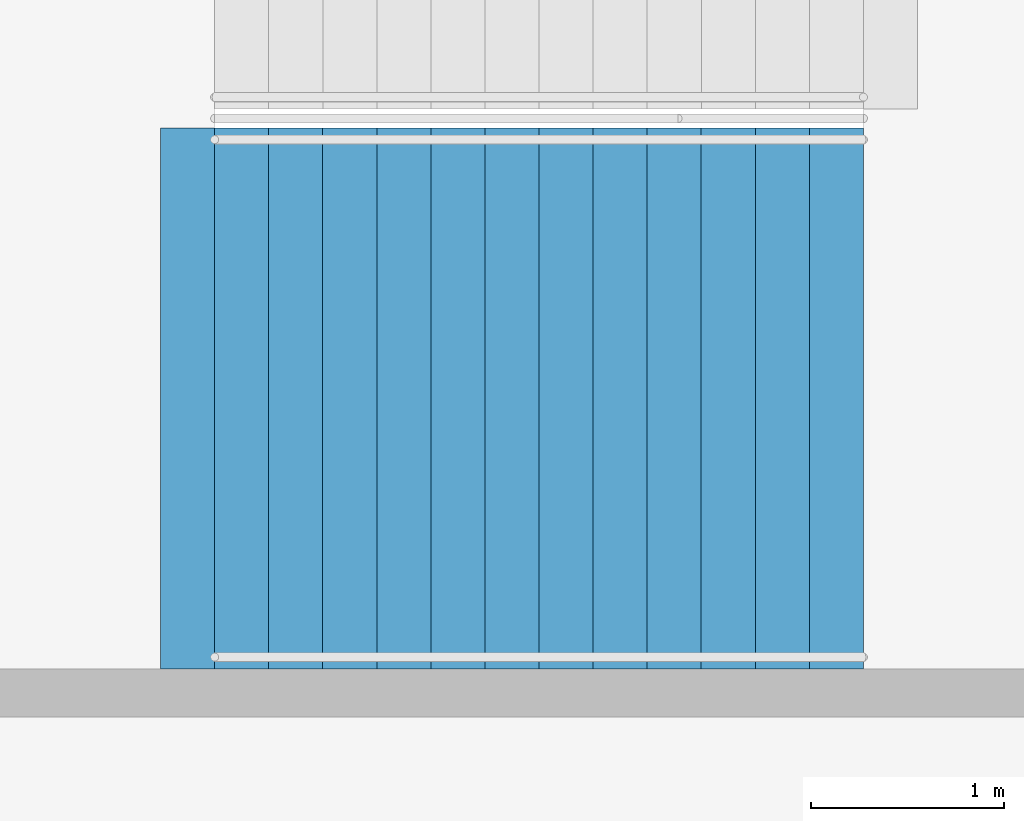
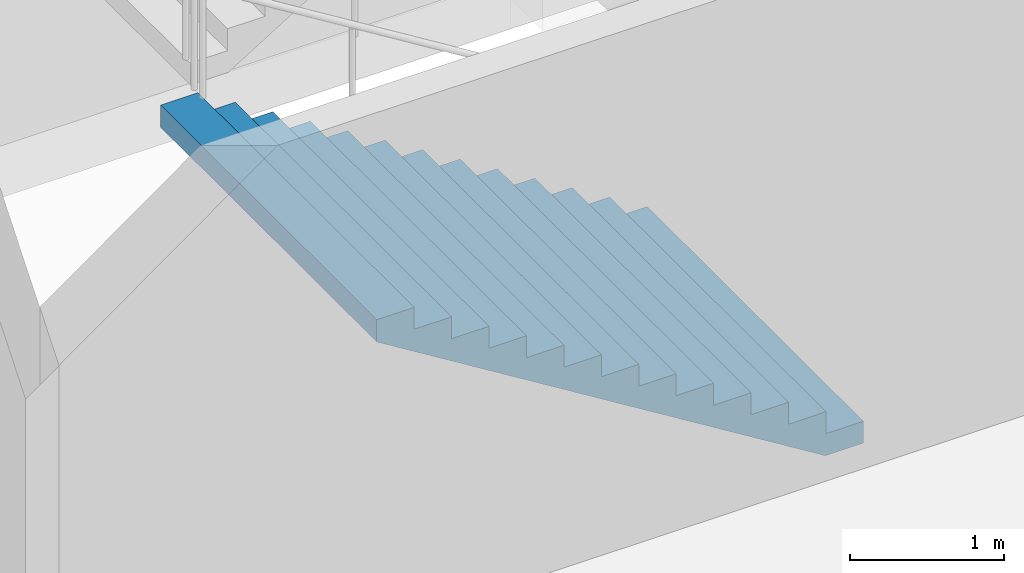
# One storey, part 154 of 199: 1 stair flight, 1 element without a shape of its own.
"""IFC4 building model written with IfcOpenShell, lengths in metres."""

from ifc_helpers import new_model, si_unit, direction, frame, origin, place, context, subcontext, project, spatial, faceted_brep, material, type_object, element, aggregate, save


model = new_model("IFC4")

# Units and contexts
model_context = context("Model", 3, precision=1e-05, world=origin(), true_north=direction((0.0, 1.0)))
body_context = subcontext(model_context, "Body", "Model", "MODEL_VIEW")
ifc_project = project(units=[si_unit("LENGTHUNIT", "METRE"), si_unit("AREAUNIT", "SQUARE_METRE"), si_unit("VOLUMEUNIT", "CUBIC_METRE"), si_unit("PLANEANGLEUNIT", "RADIAN"), si_unit("MASSUNIT", "GRAM", prefix="KILO")], contexts=[model_context])

# Site, building, storey
site_placement = place(None, origin())
site = spatial("IfcSite", under=ifc_project, at=site_placement, CompositionType="ELEMENT")
building_placement = place(site_placement, origin())
building = spatial("IfcBuilding", under=site, at=building_placement, Name="Ogive Plaza Stadium", CompositionType="ELEMENT")
storey_placement = place(building_placement, frame((0.0, 0.0, 4.5)))
storey = spatial("IfcBuildingStorey", under=building, at=storey_placement, Name="L01", CompositionType="ELEMENT", Elevation=4.5)

# Stair, stair flight
ifc_material_1 = material(Name="Concrete C40/50", Category="concrete")
stair_type = type_object("IfcStairType", Name="Exit stair", PredefinedType="STRAIGHT_RUN_STAIR", material=ifc_material_1)
stair_placement = place(storey_placement, origin())
stair = element("IfcStair", 1, at=stair_placement, inside=storey, type_object=stair_type, Name="Exit stair ST28B L01 to L02", PredefinedType="STRAIGHT_RUN_STAIR")
ifc_material_2 = material(Name="Concrete C40/50", Category="concrete")
stair_flight_type = type_object("IfcStairFlightType", Name="Exit stair flight", PredefinedType="STRAIGHT", material=ifc_material_2)
stair_flight_placement = place(storey_placement, frame((-76.35009765625, 48.074951171875, 0.0), z_axis=(0.0, 0.0, 1.0), x_axis=(-1.0, 0.0, 0.0)))
stair_flight = element("IfcStairFlight", 2, at=stair_flight_placement, type_object=stair_flight_type, Name="ST28B flight 1", NumberOfRisers=13, NumberOfTreads=12, PredefinedType="STRAIGHT", RiserHeight=0.173076923, TreadLength=0.28, context=body_context, shape_type="Brep", body=[
    faceted_brep([(0.28515625, -1.39990234375, 0.0), (3.639892578125, -1.39990234375, 2.07373046875), (3.639892578125, -1.39990234375, 2.25), (3.360107421875, -1.39990234375, 2.25), (3.360107421875, -1.39990234375, 2.076904296875), (3.080078125, -1.39990234375, 2.076904296875), (3.080078125, -1.39990234375, 1.90380859375), (2.800048828125, -1.39990234375, 1.90380859375), (2.800048828125, -1.39990234375, 1.730712890625), (2.52001953125, -1.39990234375, 1.730712890625), (2.52001953125, -1.39990234375, 1.5576171875), (2.239990234375, -1.39990234375, 1.5576171875), (2.239990234375, -1.39990234375, 1.384521484375), (1.9599609375, -1.39990234375, 1.384521484375), (1.9599609375, -1.39990234375, 1.21142578125), (1.679931640625, -1.39990234375, 1.21142578125), (1.679931640625, -1.39990234375, 1.03857421875), (1.39990234375, -1.39990234375, 1.03857421875), (1.39990234375, -1.39990234375, 0.865478515625), (1.1201171875, -1.39990234375, 0.865478515625), (1.1201171875, -1.39990234375, 0.6923828125), (0.840087890625, -1.39990234375, 0.6923828125), (0.840087890625, -1.39990234375, 0.519287109375), (0.56005859375, -1.39990234375, 0.519287109375), (0.56005859375, -1.39990234375, 0.34619140625), (0.280029296875, -1.39990234375, 0.34619140625), (0.280029296875, -1.39990234375, 0.173095703125), (0.0, -1.39990234375, 0.173095703125), (0.0, -1.39990234375, 0.0), (0.0, 1.39990234375, 0.0), (0.0, 1.39990234375, 0.173095703125), (0.280029296875, 1.39990234375, 0.173095703125), (0.280029296875, 1.39990234375, 0.34619140625), (0.56005859375, 1.39990234375, 0.34619140625), (0.56005859375, 1.39990234375, 0.519287109375), (0.840087890625, 1.39990234375, 0.519287109375), (0.840087890625, 1.39990234375, 0.6923828125), (1.1201171875, 1.39990234375, 0.6923828125), (1.1201171875, 1.39990234375, 0.865478515625), (1.39990234375, 1.39990234375, 0.865478515625), (1.39990234375, 1.39990234375, 1.03857421875), (1.679931640625, 1.39990234375, 1.03857421875), (1.679931640625, 1.39990234375, 1.21142578125), (1.9599609375, 1.39990234375, 1.21142578125), (1.9599609375, 1.39990234375, 1.384521484375), (2.239990234375, 1.39990234375, 1.384521484375), (2.239990234375, 1.39990234375, 1.5576171875), (2.52001953125, 1.39990234375, 1.5576171875), (2.52001953125, 1.39990234375, 1.730712890625), (2.800048828125, 1.39990234375, 1.730712890625), (2.800048828125, 1.39990234375, 1.90380859375), (3.080078125, 1.39990234375, 1.90380859375), (3.080078125, 1.39990234375, 2.076904296875), (3.360107421875, 1.39990234375, 2.076904296875), (3.360107421875, 1.39990234375, 2.25), (3.639892578125, 1.39990234375, 2.25), (3.639892578125, 1.39990234375, 2.07373046875), (0.28515625, 1.39990234375, 0.0), (0.28515625, -1.0888671875, 0.0), (3.639892578125, -1.0888671875, 2.07373046875), (0.28515625, -0.77783203125, 0.0), (3.639892578125, -0.77783203125, 2.07373046875), (0.28515625, -0.466796875, 0.0), (3.639892578125, -0.466796875, 2.07373046875), (0.28515625, -0.155517578125, 0.0), (3.639892578125, -0.155517578125, 2.07373046875), (0.28515625, 0.155517578125, 0.0), (3.639892578125, 0.155517578125, 2.07373046875), (0.28515625, 0.466796875, 0.0), (3.639892578125, 0.466796875, 2.07373046875), (0.28515625, 0.77783203125, 0.0), (3.639892578125, 0.77783203125, 2.07373046875), (0.28515625, 1.0888671875, 0.0), (3.639892578125, 1.0888671875, 2.07373046875), (3.639892578125, -1.0888671875, 2.25), (3.639892578125, -0.77783203125, 2.25), (3.639892578125, -0.466796875, 2.25), (3.639892578125, -0.155517578125, 2.25), (3.639892578125, 0.155517578125, 2.25), (3.639892578125, 0.466796875, 2.25), (3.639892578125, 0.77783203125, 2.25), (3.639892578125, 1.0888671875, 2.25), (3.360107421875, -1.0888671875, 2.25), (3.360107421875, -0.77783203125, 2.25), (3.360107421875, -0.466796875, 2.25), (3.360107421875, -0.155517578125, 2.25), (3.360107421875, 0.155517578125, 2.25), (3.360107421875, 0.466796875, 2.25), (3.360107421875, 0.77783203125, 2.25), (3.360107421875, 1.0888671875, 2.25), (3.360107421875, -1.0888671875, 2.076904296875), (3.360107421875, -0.77783203125, 2.076904296875), (3.360107421875, -0.466796875, 2.076904296875), (3.360107421875, -0.155517578125, 2.076904296875), (3.360107421875, 0.155517578125, 2.076904296875), (3.360107421875, 0.466796875, 2.076904296875), (3.360107421875, 0.77783203125, 2.076904296875), (3.360107421875, 1.0888671875, 2.076904296875), (3.080078125, -1.0888671875, 2.076904296875), (3.080078125, -0.77783203125, 2.076904296875), (3.080078125, -0.466796875, 2.076904296875), (3.080078125, -0.155517578125, 2.076904296875), (3.080078125, 0.155517578125, 2.076904296875), (3.080078125, 0.466796875, 2.076904296875), (3.080078125, 0.77783203125, 2.076904296875), (3.080078125, 1.0888671875, 2.076904296875), (3.080078125, -1.0888671875, 1.90380859375), (3.080078125, -0.77783203125, 1.90380859375), (3.080078125, -0.466796875, 1.90380859375), (3.080078125, -0.155517578125, 1.90380859375), (3.080078125, 0.155517578125, 1.90380859375), (3.080078125, 0.466796875, 1.90380859375), (3.080078125, 0.77783203125, 1.90380859375), (3.080078125, 1.0888671875, 1.90380859375), (2.800048828125, -1.0888671875, 1.90380859375), (2.800048828125, -0.77783203125, 1.90380859375), (2.800048828125, -0.466796875, 1.90380859375), (2.800048828125, -0.155517578125, 1.90380859375), (2.800048828125, 0.155517578125, 1.90380859375), (2.800048828125, 0.466796875, 1.90380859375), (2.800048828125, 0.77783203125, 1.90380859375), (2.800048828125, 1.0888671875, 1.90380859375), (2.800048828125, -1.0888671875, 1.730712890625), (2.800048828125, -0.77783203125, 1.730712890625), (2.800048828125, -0.466796875, 1.730712890625), (2.800048828125, -0.155517578125, 1.730712890625), (2.800048828125, 0.155517578125, 1.730712890625), (2.800048828125, 0.466796875, 1.730712890625), (2.800048828125, 0.77783203125, 1.730712890625), (2.800048828125, 1.0888671875, 1.730712890625), (2.52001953125, -1.0888671875, 1.730712890625), (2.52001953125, -0.77783203125, 1.730712890625), (2.52001953125, -0.466796875, 1.730712890625), (2.52001953125, -0.155517578125, 1.730712890625), (2.52001953125, 0.155517578125, 1.730712890625), (2.52001953125, 0.466796875, 1.730712890625), (2.52001953125, 0.77783203125, 1.730712890625), (2.52001953125, 1.0888671875, 1.730712890625), (2.52001953125, -1.0888671875, 1.5576171875), (2.52001953125, -0.77783203125, 1.5576171875), (2.52001953125, -0.466796875, 1.5576171875), (2.52001953125, -0.155517578125, 1.5576171875), (2.52001953125, 0.155517578125, 1.5576171875), (2.52001953125, 0.466796875, 1.5576171875), (2.52001953125, 0.77783203125, 1.5576171875), (2.52001953125, 1.0888671875, 1.5576171875), (2.239990234375, -1.0888671875, 1.5576171875), (2.239990234375, -0.77783203125, 1.5576171875), (2.239990234375, -0.466796875, 1.5576171875), (2.239990234375, -0.155517578125, 1.5576171875), (2.239990234375, 0.155517578125, 1.5576171875), (2.239990234375, 0.466796875, 1.5576171875), (2.239990234375, 0.77783203125, 1.5576171875), (2.239990234375, 1.0888671875, 1.5576171875), (2.239990234375, -1.0888671875, 1.384521484375), (2.239990234375, -0.77783203125, 1.384521484375), (2.239990234375, -0.466796875, 1.384521484375), (2.239990234375, -0.155517578125, 1.384521484375), (2.239990234375, 0.155517578125, 1.384521484375), (2.239990234375, 0.466796875, 1.384521484375), (2.239990234375, 0.77783203125, 1.384521484375), (2.239990234375, 1.0888671875, 1.384521484375), (1.9599609375, -1.0888671875, 1.384521484375), (1.9599609375, -0.77783203125, 1.384521484375), (1.9599609375, -0.466796875, 1.384521484375), (1.9599609375, -0.155517578125, 1.384521484375), (1.9599609375, 0.155517578125, 1.384521484375), (1.9599609375, 0.466796875, 1.384521484375), (1.9599609375, 0.77783203125, 1.384521484375), (1.9599609375, 1.0888671875, 1.384521484375), (1.9599609375, -1.0888671875, 1.21142578125), (1.9599609375, -0.77783203125, 1.21142578125), (1.9599609375, -0.466796875, 1.21142578125), (1.9599609375, -0.155517578125, 1.21142578125), (1.9599609375, 0.155517578125, 1.21142578125), (1.9599609375, 0.466796875, 1.21142578125), (1.9599609375, 0.77783203125, 1.21142578125), (1.9599609375, 1.0888671875, 1.21142578125), (1.679931640625, -1.0888671875, 1.21142578125), (1.679931640625, -0.77783203125, 1.21142578125), (1.679931640625, -0.466796875, 1.21142578125), (1.679931640625, -0.155517578125, 1.21142578125), (1.679931640625, 0.155517578125, 1.21142578125), (1.679931640625, 0.466796875, 1.21142578125), (1.679931640625, 0.77783203125, 1.21142578125), (1.679931640625, 1.0888671875, 1.21142578125), (1.679931640625, -1.0888671875, 1.03857421875), (1.679931640625, -0.77783203125, 1.03857421875), (1.679931640625, -0.466796875, 1.03857421875), (1.679931640625, -0.155517578125, 1.03857421875), (1.679931640625, 0.155517578125, 1.03857421875), (1.679931640625, 0.466796875, 1.03857421875), (1.679931640625, 0.77783203125, 1.03857421875), (1.679931640625, 1.0888671875, 1.03857421875), (1.39990234375, -1.0888671875, 1.03857421875), (1.39990234375, -0.77783203125, 1.03857421875), (1.39990234375, -0.466796875, 1.03857421875), (1.39990234375, -0.155517578125, 1.03857421875), (1.39990234375, 0.155517578125, 1.03857421875), (1.39990234375, 0.466796875, 1.03857421875), (1.39990234375, 0.77783203125, 1.03857421875), (1.39990234375, 1.0888671875, 1.03857421875), (1.39990234375, -1.0888671875, 0.865478515625), (1.39990234375, -0.77783203125, 0.865478515625), (1.39990234375, -0.466796875, 0.865478515625), (1.39990234375, -0.155517578125, 0.865478515625), (1.39990234375, 0.155517578125, 0.865478515625), (1.39990234375, 0.466796875, 0.865478515625), (1.39990234375, 0.77783203125, 0.865478515625), (1.39990234375, 1.0888671875, 0.865478515625), (1.1201171875, -1.0888671875, 0.865478515625), (1.1201171875, -0.77783203125, 0.865478515625), (1.1201171875, -0.466796875, 0.865478515625), (1.1201171875, -0.155517578125, 0.865478515625), (1.1201171875, 0.155517578125, 0.865478515625), (1.1201171875, 0.466796875, 0.865478515625), (1.1201171875, 0.77783203125, 0.865478515625), (1.1201171875, 1.0888671875, 0.865478515625), (1.1201171875, -1.0888671875, 0.6923828125), (1.1201171875, -0.77783203125, 0.6923828125), (1.1201171875, -0.466796875, 0.6923828125), (1.1201171875, -0.155517578125, 0.6923828125), (1.1201171875, 0.155517578125, 0.6923828125), (1.1201171875, 0.466796875, 0.6923828125), (1.1201171875, 0.77783203125, 0.6923828125), (1.1201171875, 1.0888671875, 0.6923828125), (0.840087890625, -1.0888671875, 0.6923828125), (0.840087890625, -0.77783203125, 0.6923828125), (0.840087890625, -0.466796875, 0.6923828125), (0.840087890625, -0.155517578125, 0.6923828125), (0.840087890625, 0.155517578125, 0.6923828125), (0.840087890625, 0.466796875, 0.6923828125), (0.840087890625, 0.77783203125, 0.6923828125), (0.840087890625, 1.0888671875, 0.6923828125), (0.840087890625, -1.0888671875, 0.519287109375), (0.840087890625, -0.77783203125, 0.519287109375), (0.840087890625, -0.466796875, 0.519287109375), (0.840087890625, -0.155517578125, 0.519287109375), (0.840087890625, 0.155517578125, 0.519287109375), (0.840087890625, 0.466796875, 0.519287109375), (0.840087890625, 0.77783203125, 0.519287109375), (0.840087890625, 1.0888671875, 0.519287109375), (0.56005859375, -1.0888671875, 0.519287109375), (0.56005859375, -0.77783203125, 0.519287109375), (0.56005859375, -0.466796875, 0.519287109375), (0.56005859375, -0.155517578125, 0.519287109375), (0.56005859375, 0.155517578125, 0.519287109375), (0.56005859375, 0.466796875, 0.519287109375), (0.56005859375, 0.77783203125, 0.519287109375), (0.56005859375, 1.0888671875, 0.519287109375), (0.56005859375, -1.0888671875, 0.34619140625), (0.56005859375, -0.77783203125, 0.34619140625), (0.56005859375, -0.466796875, 0.34619140625), (0.56005859375, -0.155517578125, 0.34619140625), (0.56005859375, 0.155517578125, 0.34619140625), (0.56005859375, 0.466796875, 0.34619140625), (0.56005859375, 0.77783203125, 0.34619140625), (0.56005859375, 1.0888671875, 0.34619140625), (0.280029296875, -1.0888671875, 0.34619140625), (0.280029296875, -0.77783203125, 0.34619140625), (0.280029296875, -0.466796875, 0.34619140625), (0.280029296875, -0.155517578125, 0.34619140625), (0.280029296875, 0.155517578125, 0.34619140625), (0.280029296875, 0.466796875, 0.34619140625), (0.280029296875, 0.77783203125, 0.34619140625), (0.280029296875, 1.0888671875, 0.34619140625), (0.280029296875, -1.0888671875, 0.173095703125), (0.280029296875, -0.77783203125, 0.173095703125), (0.280029296875, -0.466796875, 0.173095703125), (0.280029296875, -0.155517578125, 0.173095703125), (0.280029296875, 0.155517578125, 0.173095703125), (0.280029296875, 0.466796875, 0.173095703125), (0.280029296875, 0.77783203125, 0.173095703125), (0.280029296875, 1.0888671875, 0.173095703125), (0.0, -1.0888671875, 0.173095703125), (0.0, -0.77783203125, 0.173095703125), (0.0, -0.466796875, 0.173095703125), (0.0, -0.155517578125, 0.173095703125), (0.0, 0.155517578125, 0.173095703125), (0.0, 0.466796875, 0.173095703125), (0.0, 0.77783203125, 0.173095703125), (0.0, 1.0888671875, 0.173095703125), (0.0, -1.0888671875, 0.0), (0.0, -0.77783203125, 0.0), (0.0, -0.466796875, 0.0), (0.0, -0.155517578125, 0.0), (0.0, 0.155517578125, 0.0), (0.0, 0.466796875, 0.0), (0.0, 0.77783203125, 0.0), (0.0, 1.0888671875, 0.0)], [[[0, 1, 2, 3, 4, 5, 6, 7, 8, 9, 10, 11, 12, 13, 14, 15, 16, 17, 18, 19, 20, 21, 22, 23, 24, 25, 26, 27, 28]], [[29, 30, 31, 32, 33, 34, 35, 36, 37, 38, 39, 40, 41, 42, 43, 44, 45, 46, 47, 48, 49, 50, 51, 52, 53, 54, 55, 56, 57]], [[0, 58, 59, 1]], [[58, 60, 61, 59]], [[60, 62, 63, 61]], [[62, 64, 65, 63]], [[64, 66, 67, 65]], [[66, 68, 69, 67]], [[68, 70, 71, 69]], [[70, 72, 73, 71]], [[72, 57, 56, 73]], [[1, 59, 74, 2]], [[59, 61, 75, 74]], [[61, 63, 76, 75]], [[63, 65, 77, 76]], [[65, 67, 78, 77]], [[67, 69, 79, 78]], [[69, 71, 80, 79]], [[71, 73, 81, 80]], [[73, 56, 55, 81]], [[2, 74, 82, 3]], [[74, 75, 83, 82]], [[75, 76, 84, 83]], [[76, 77, 85, 84]], [[77, 78, 86, 85]], [[78, 79, 87, 86]], [[79, 80, 88, 87]], [[80, 81, 89, 88]], [[81, 55, 54, 89]], [[3, 82, 90, 4]], [[82, 83, 91, 90]], [[83, 84, 92, 91]], [[84, 85, 93, 92]], [[85, 86, 94, 93]], [[86, 87, 95, 94]], [[87, 88, 96, 95]], [[88, 89, 97, 96]], [[89, 54, 53, 97]], [[4, 90, 98, 5]], [[90, 91, 99, 98]], [[91, 92, 100, 99]], [[92, 93, 101, 100]], [[93, 94, 102, 101]], [[94, 95, 103, 102]], [[95, 96, 104, 103]], [[96, 97, 105, 104]], [[97, 53, 52, 105]], [[5, 98, 106, 6]], [[98, 99, 107, 106]], [[99, 100, 108, 107]], [[100, 101, 109, 108]], [[101, 102, 110, 109]], [[102, 103, 111, 110]], [[103, 104, 112, 111]], [[104, 105, 113, 112]], [[105, 52, 51, 113]], [[6, 106, 114, 7]], [[106, 107, 115, 114]], [[107, 108, 116, 115]], [[108, 109, 117, 116]], [[109, 110, 118, 117]], [[110, 111, 119, 118]], [[111, 112, 120, 119]], [[112, 113, 121, 120]], [[113, 51, 50, 121]], [[7, 114, 122, 8]], [[114, 115, 123, 122]], [[115, 116, 124, 123]], [[116, 117, 125, 124]], [[117, 118, 126, 125]], [[118, 119, 127, 126]], [[119, 120, 128, 127]], [[120, 121, 129, 128]], [[121, 50, 49, 129]], [[8, 122, 130, 9]], [[122, 123, 131, 130]], [[123, 124, 132, 131]], [[124, 125, 133, 132]], [[125, 126, 134, 133]], [[126, 127, 135, 134]], [[127, 128, 136, 135]], [[128, 129, 137, 136]], [[129, 49, 48, 137]], [[9, 130, 138, 10]], [[130, 131, 139, 138]], [[131, 132, 140, 139]], [[132, 133, 141, 140]], [[133, 134, 142, 141]], [[134, 135, 143, 142]], [[135, 136, 144, 143]], [[136, 137, 145, 144]], [[137, 48, 47, 145]], [[10, 138, 146, 11]], [[138, 139, 147, 146]], [[139, 140, 148, 147]], [[140, 141, 149, 148]], [[141, 142, 150, 149]], [[142, 143, 151, 150]], [[143, 144, 152, 151]], [[144, 145, 153, 152]], [[145, 47, 46, 153]], [[11, 146, 154, 12]], [[146, 147, 155, 154]], [[147, 148, 156, 155]], [[148, 149, 157, 156]], [[149, 150, 158, 157]], [[150, 151, 159, 158]], [[151, 152, 160, 159]], [[152, 153, 161, 160]], [[153, 46, 45, 161]], [[12, 154, 162, 13]], [[154, 155, 163, 162]], [[155, 156, 164, 163]], [[156, 157, 165, 164]], [[157, 158, 166, 165]], [[158, 159, 167, 166]], [[159, 160, 168, 167]], [[160, 161, 169, 168]], [[161, 45, 44, 169]], [[13, 162, 170, 14]], [[162, 163, 171, 170]], [[163, 164, 172, 171]], [[164, 165, 173, 172]], [[165, 166, 174, 173]], [[166, 167, 175, 174]], [[167, 168, 176, 175]], [[168, 169, 177, 176]], [[169, 44, 43, 177]], [[14, 170, 178, 15]], [[170, 171, 179, 178]], [[171, 172, 180, 179]], [[172, 173, 181, 180]], [[173, 174, 182, 181]], [[174, 175, 183, 182]], [[175, 176, 184, 183]], [[176, 177, 185, 184]], [[177, 43, 42, 185]], [[15, 178, 186, 16]], [[178, 179, 187, 186]], [[179, 180, 188, 187]], [[180, 181, 189, 188]], [[181, 182, 190, 189]], [[182, 183, 191, 190]], [[183, 184, 192, 191]], [[184, 185, 193, 192]], [[185, 42, 41, 193]], [[16, 186, 194, 17]], [[186, 187, 195, 194]], [[187, 188, 196, 195]], [[188, 189, 197, 196]], [[189, 190, 198, 197]], [[190, 191, 199, 198]], [[191, 192, 200, 199]], [[192, 193, 201, 200]], [[193, 41, 40, 201]], [[17, 194, 202, 18]], [[194, 195, 203, 202]], [[195, 196, 204, 203]], [[196, 197, 205, 204]], [[197, 198, 206, 205]], [[198, 199, 207, 206]], [[199, 200, 208, 207]], [[200, 201, 209, 208]], [[201, 40, 39, 209]], [[18, 202, 210, 19]], [[202, 203, 211, 210]], [[203, 204, 212, 211]], [[204, 205, 213, 212]], [[205, 206, 214, 213]], [[206, 207, 215, 214]], [[207, 208, 216, 215]], [[208, 209, 217, 216]], [[209, 39, 38, 217]], [[19, 210, 218, 20]], [[210, 211, 219, 218]], [[211, 212, 220, 219]], [[212, 213, 221, 220]], [[213, 214, 222, 221]], [[214, 215, 223, 222]], [[215, 216, 224, 223]], [[216, 217, 225, 224]], [[217, 38, 37, 225]], [[20, 218, 226, 21]], [[218, 219, 227, 226]], [[219, 220, 228, 227]], [[220, 221, 229, 228]], [[221, 222, 230, 229]], [[222, 223, 231, 230]], [[223, 224, 232, 231]], [[224, 225, 233, 232]], [[225, 37, 36, 233]], [[21, 226, 234, 22]], [[226, 227, 235, 234]], [[227, 228, 236, 235]], [[228, 229, 237, 236]], [[229, 230, 238, 237]], [[230, 231, 239, 238]], [[231, 232, 240, 239]], [[232, 233, 241, 240]], [[233, 36, 35, 241]], [[22, 234, 242, 23]], [[234, 235, 243, 242]], [[235, 236, 244, 243]], [[236, 237, 245, 244]], [[237, 238, 246, 245]], [[238, 239, 247, 246]], [[239, 240, 248, 247]], [[240, 241, 249, 248]], [[241, 35, 34, 249]], [[23, 242, 250, 24]], [[242, 243, 251, 250]], [[243, 244, 252, 251]], [[244, 245, 253, 252]], [[245, 246, 254, 253]], [[246, 247, 255, 254]], [[247, 248, 256, 255]], [[248, 249, 257, 256]], [[249, 34, 33, 257]], [[24, 250, 258, 25]], [[250, 251, 259, 258]], [[251, 252, 260, 259]], [[252, 253, 261, 260]], [[253, 254, 262, 261]], [[254, 255, 263, 262]], [[255, 256, 264, 263]], [[256, 257, 265, 264]], [[257, 33, 32, 265]], [[25, 258, 266, 26]], [[258, 259, 267, 266]], [[259, 260, 268, 267]], [[260, 261, 269, 268]], [[261, 262, 270, 269]], [[262, 263, 271, 270]], [[263, 264, 272, 271]], [[264, 265, 273, 272]], [[265, 32, 31, 273]], [[26, 266, 274, 27]], [[266, 267, 275, 274]], [[267, 268, 276, 275]], [[268, 269, 277, 276]], [[269, 270, 278, 277]], [[270, 271, 279, 278]], [[271, 272, 280, 279]], [[272, 273, 281, 280]], [[273, 31, 30, 281]], [[27, 274, 282, 28]], [[274, 275, 283, 282]], [[275, 276, 284, 283]], [[276, 277, 285, 284]], [[277, 278, 286, 285]], [[278, 279, 287, 286]], [[279, 280, 288, 287]], [[280, 281, 289, 288]], [[281, 30, 29, 289]], [[28, 282, 58, 0]], [[282, 283, 60, 58]], [[283, 284, 62, 60]], [[284, 285, 64, 62]], [[285, 286, 66, 64]], [[286, 287, 68, 66]], [[287, 288, 70, 68]], [[288, 289, 72, 70]], [[289, 29, 57, 72]]]),
])
aggregate(stair, [stair_flight])

save(model, "model.ifc")
